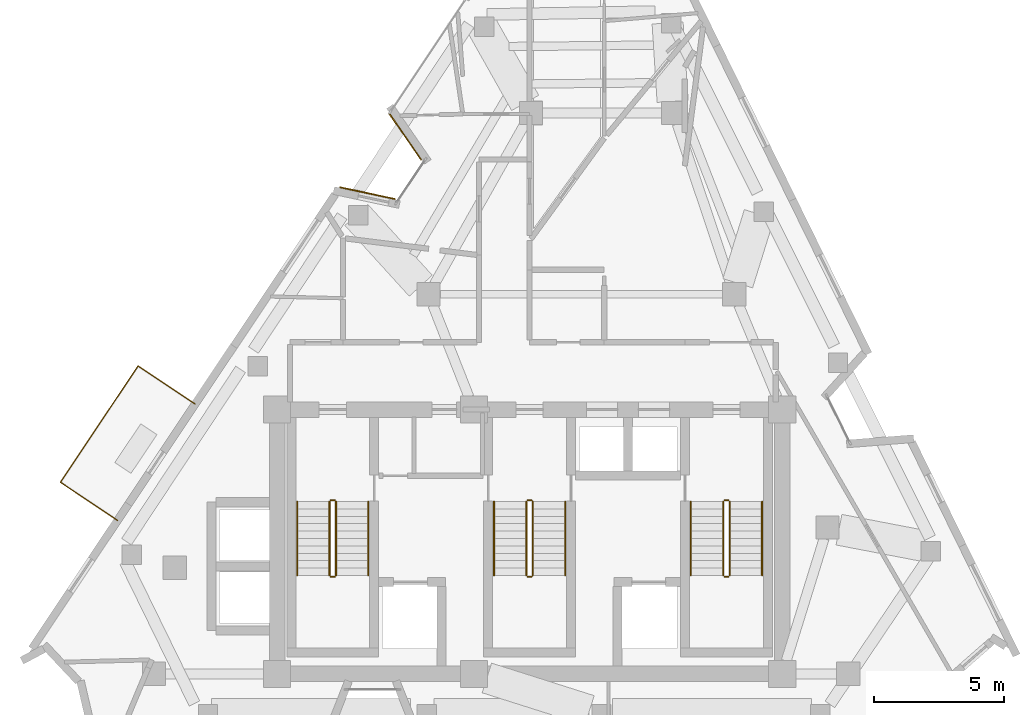
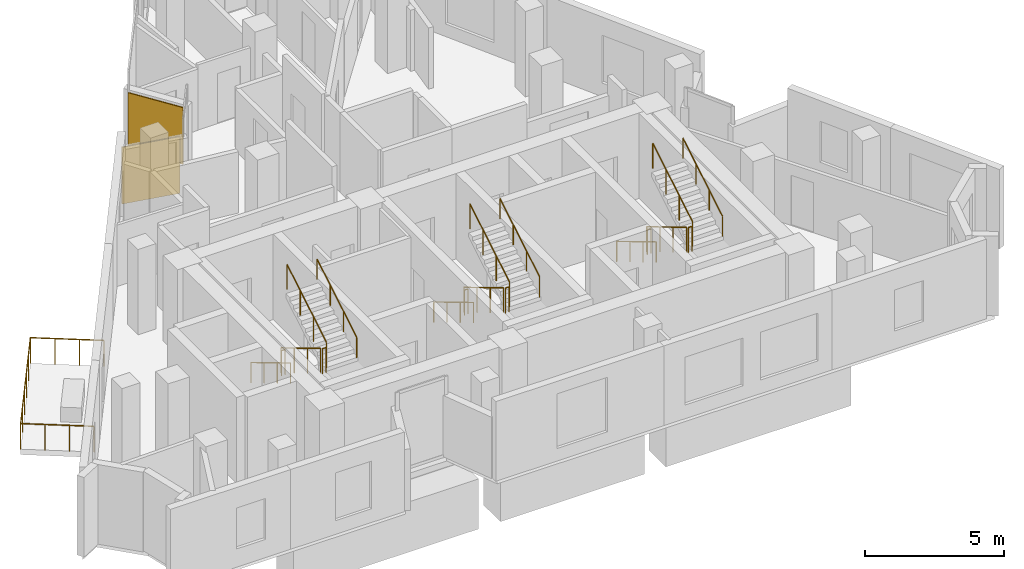
# One storey, part 9 of 10: 19 railings, 2 coverings.
"""IFC4 building model written with IfcOpenShell, lengths in metres."""

from ifc_helpers import new_model, si_unit, direction, frame, origin, origin_2d, place, context, subcontext, project, spatial, rectangle, circle, extrude, material, layer, layer_set, type_object, element, save


model = new_model("IFC4")

# Units and contexts
model_context = context("Model", 3, precision=1e-05, world=origin(), true_north=direction((0.0, 1.0)))
body_context = subcontext(model_context, "Body", "Model", "MODEL_VIEW")
ifc_project = project(units=[si_unit("LENGTHUNIT", "METRE"), si_unit("AREAUNIT", "SQUARE_METRE"), si_unit("VOLUMEUNIT", "CUBIC_METRE"), si_unit("PLANEANGLEUNIT", "RADIAN"), si_unit("MASSUNIT", "GRAM", prefix="KILO")], contexts=[model_context])

# Site, building, storey
site_placement = place(None, origin())
site = spatial("IfcSite", under=ifc_project, at=site_placement, CompositionType="ELEMENT")
building_placement = place(site_placement, origin())
building = spatial("IfcBuilding", under=site, at=building_placement, Name="Almagre Mirador Tower", CompositionType="ELEMENT")
storey_placement = place(building_placement, frame((0.0, 0.0, 270.75)))
storey = spatial("IfcBuildingStorey", under=building, at=storey_placement, Name="L70", CompositionType="ELEMENT", Elevation=270.75)

# Coverings
ifc_material_1 = material(Name="Almagre terracotta architectural cladding", Category="masonry")
ifc_layer = layer(ifc_material_1, 0.044921875)
ifc_layer_set = layer_set([ifc_layer], Name="Almagre terracotta architectural cladding")
covering_type = type_object("IfcCoveringType", Name="COV-CLAD-ALMAGRE", PredefinedType="CLADDING", material=ifc_layer_set)
for number, where, z_axis, x_axis, name in (
    (1, (31.039306640625, 23.106689453125, 0.099853515625), (0.0, 0.0, 1.0), (0.978053152694, -0.208355538697, 0.0), "L70 almagre terracotta pier cladding"),
    (2, (32.4970703125, 25.28955078125, 0.099853515625), (0.0, 0.0, 1.0), (-0.567815011828, 0.823156189519, 0.0), "L70 almagre terracotta pier cladding"),
):
    element("IfcCovering", number, at=place(storey_placement, frame(where, z_axis=z_axis, x_axis=x_axis)), inside=storey, type_object=covering_type, Name=name, PredefinedType="CLADDING", context=body_context, shape_type="SweptSolid", body=[
        extrude(rectangle(XDim=2.194091796875, YDim=0.044921875, at=origin_2d()), origin(), (0.0, 0.0, 1.0), 2.49609375),
    ])

# Railings
ifc_material_2 = material(Name="Black anodized aluminium", Category="aluminium")
railing_type_1 = type_object("IfcRailingType", Name="RLG-BAL-1150", PredefinedType="BALUSTRADE", material=ifc_material_2)
railing_1_placement = place(storey_placement, frame((24.388916015625, 14.966064453125, 0.0)))
element("IfcRailing", 3, at=railing_1_placement, inside=storey, type_object=railing_type_1, Name="L70 west balcony balustrade 1", PredefinedType="BALUSTRADE", context=body_context, shape_type="SweptSolid", body=[
    extrude(circle(Radius=0.02392578125, at=origin_2d()), frame((0.0, 0.0, 1.1259765625), z_axis=(-0.831752489759, 0.555146643491, 0.0), x_axis=(-0.555146643491, -0.831752489759, 0.0)), (0.0, 0.0, 1.0), 2.649658203125),
    extrude(circle(Radius=0.02392578125, at=origin_2d()), frame((-2.203857421875, 1.470947265625, 1.1259765625), z_axis=(-0.555221781424, -0.831702334632, 0.0), x_axis=(0.831702334632, -0.555221781424, 0.0)), (0.0, 0.0, 1.0), 5.399658203125),
    extrude(circle(Radius=0.02392578125, at=origin_2d()), frame((-5.201904296875, -3.02001953125, 1.1259765625), z_axis=(0.831610717546, -0.555358996022, 0.0), x_axis=(0.555358996022, 0.831610717546, 0.0)), (0.0, 0.0, 1.0), 2.650390625),
    extrude(circle(Radius=0.02099609375, at=origin_2d()), origin(), (0.0, 0.0, 1.0), 1.101806640625),
    extrude(circle(Radius=0.02099609375, at=origin_2d()), frame((-0.734619140625, 0.490234375, 0.0)), (0.0, 0.0, 1.0), 1.101806640625),
    extrude(circle(Radius=0.02099609375, at=origin_2d()), frame((-1.46923828125, 0.980712890625, 0.0)), (0.0, 0.0, 1.0), 1.101806640625),
    extrude(circle(Radius=0.02099609375, at=origin_2d()), frame((-2.203857421875, 1.470947265625, 0.0)), (0.0, 0.0, 1.0), 1.101806640625),
    extrude(circle(Radius=0.02099609375, at=origin_2d()), frame((-2.803466796875, 0.57275390625, 0.0)), (0.0, 0.0, 1.0), 1.101806640625),
    extrude(circle(Radius=0.02099609375, at=origin_2d()), frame((-3.403076171875, -0.325439453125, 0.0)), (0.0, 0.0, 1.0), 1.101806640625),
    extrude(circle(Radius=0.02099609375, at=origin_2d()), frame((-4.002685546875, -1.2236328125, 0.0)), (0.0, 0.0, 1.0), 1.101806640625),
    extrude(circle(Radius=0.02099609375, at=origin_2d()), frame((-4.602294921875, -2.121826171875, 0.0)), (0.0, 0.0, 1.0), 1.101806640625),
    extrude(circle(Radius=0.02099609375, at=origin_2d()), frame((-5.201904296875, -3.02001953125, 0.0)), (0.0, 0.0, 1.0), 1.101806640625),
    extrude(circle(Radius=0.02099609375, at=origin_2d()), frame((-4.46728515625, -3.5107421875, 0.0)), (0.0, 0.0, 1.0), 1.101806640625),
    extrude(circle(Radius=0.02099609375, at=origin_2d()), frame((-3.732421875, -4.001220703125, 0.0)), (0.0, 0.0, 1.0), 1.101806640625),
    extrude(circle(Radius=0.02099609375, at=origin_2d()), frame((-2.997802734375, -4.491943359375, 0.0)), (0.0, 0.0, 1.0), 1.101806640625),
])
ifc_material_3 = material(Name="Painted galvanized steel", Category="steel")
railing_type_2 = type_object("IfcRailingType", Name="RLG-GRD-1100", PredefinedType="GUARDRAIL", material=ifc_material_3)
railing_2_placement = place(storey_placement, frame((29.574951171875, 11.199951171875, 0.17041015625)))
element("IfcRailing", 4, at=railing_2_placement, inside=storey, type_object=railing_type_2, Name="L70 ST-1 stair guard 1", PredefinedType="GUARDRAIL", context=body_context, shape_type="SweptSolid", body=[
    extrude(circle(Radius=0.02392578125, at=origin_2d()), frame((0.0, 0.0, 1.09619140625), z_axis=(0.0, -0.858199205511, 0.513316786848), x_axis=(1.0, 0.0, 0.0)), (0.0, 0.0, 1.0), 3.32080078125),
    extrude(circle(Radius=0.02099609375, at=origin_2d()), origin(), (0.0, 0.0, 1.0), 1.072021484375),
    extrude(circle(Radius=0.02099609375, at=origin_2d()), frame((0.0, -0.949951171875, 0.568115234375)), (0.0, 0.0, 1.0), 1.072021484375),
    extrude(circle(Radius=0.02099609375, at=origin_2d()), frame((0.0, -1.89990234375, 1.136474609375)), (0.0, 0.0, 1.0), 1.072021484375),
    extrude(circle(Radius=0.02099609375, at=origin_2d()), frame((0.0, -2.849853515625, 1.70458984375)), (0.0, 0.0, 1.0), 1.072021484375),
])
railing_3_placement = place(storey_placement, frame((29.625, 8.300048828125, 1.875)))
element("IfcRailing", 5, at=railing_3_placement, inside=storey, type_object=railing_type_2, Name="L70 ST-1 stair guard 2", PredefinedType="GUARDRAIL", context=body_context, shape_type="SweptSolid", body=[
    extrude(circle(Radius=0.02392578125, at=origin_2d()), frame((0.0, 0.0, 1.09619140625), z_axis=(1.0, 0.0, 0.0), x_axis=(0.0, 1.0, 0.0)), (0.0, 0.0, 1.0), 0.14990234375),
    extrude(circle(Radius=0.02099609375, at=origin_2d()), origin(), (0.0, 0.0, 1.0), 1.072021484375),
    extrude(circle(Radius=0.02099609375, at=origin_2d()), frame((0.14990234375, 0.0, 0.0)), (0.0, 0.0, 1.0), 1.072021484375),
])
railing_4_placement = place(storey_placement, frame((29.824951171875, 8.35009765625, 2.04541015625)))
element("IfcRailing", 6, at=railing_4_placement, inside=storey, type_object=railing_type_2, Name="L70 ST-1 stair guard 3", PredefinedType="GUARDRAIL", context=body_context, shape_type="SweptSolid", body=[
    extrude(circle(Radius=0.02392578125, at=origin_2d()), frame((0.0, 0.0, 1.09619140625), z_axis=(0.0, 0.858199205511, 0.513316786848), x_axis=(-1.0, 0.0, 0.0)), (0.0, 0.0, 1.0), 3.32080078125),
    extrude(circle(Radius=0.02099609375, at=origin_2d()), origin(), (0.0, 0.0, 1.0), 1.072021484375),
    extrude(circle(Radius=0.02099609375, at=origin_2d()), frame((0.0, 0.949951171875, 0.568115234375)), (0.0, 0.0, 1.0), 1.072021484375),
    extrude(circle(Radius=0.02099609375, at=origin_2d()), frame((0.0, 1.89990234375, 1.136474609375)), (0.0, 0.0, 1.0), 1.072021484375),
    extrude(circle(Radius=0.02099609375, at=origin_2d()), frame((0.0, 2.849853515625, 1.70458984375)), (0.0, 0.0, 1.0), 1.072021484375),
])
railing_5_placement = place(storey_placement, frame((29.625, 11.25, 0.0)))
element("IfcRailing", 7, at=railing_5_placement, inside=storey, type_object=railing_type_2, Name="L70 ST-1 stair guard 4", PredefinedType="GUARDRAIL", context=body_context, shape_type="SweptSolid", body=[
    extrude(circle(Radius=0.02392578125, at=origin_2d()), frame((0.0, 0.0, 1.09619140625), z_axis=(1.0, 0.0, 0.0), x_axis=(0.0, 1.0, 0.0)), (0.0, 0.0, 1.0), 0.14990234375),
    extrude(circle(Radius=0.02099609375, at=origin_2d()), origin(), (0.0, 0.0, 1.0), 1.072021484375),
    extrude(circle(Radius=0.02099609375, at=origin_2d()), frame((0.14990234375, 0.0, 0.0)), (0.0, 0.0, 1.0), 1.072021484375),
])
railing_6_placement = place(storey_placement, frame((37.175048828125, 11.199951171875, 0.17041015625)))
element("IfcRailing", 8, at=railing_6_placement, inside=storey, type_object=railing_type_2, Name="L70 ST-2 stair guard 1", PredefinedType="GUARDRAIL", context=body_context, shape_type="SweptSolid", body=[
    extrude(circle(Radius=0.02392578125, at=origin_2d()), frame((0.0, 0.0, 1.09619140625), z_axis=(0.0, -0.858199205511, 0.513316786848), x_axis=(1.0, 0.0, 0.0)), (0.0, 0.0, 1.0), 3.32080078125),
    extrude(circle(Radius=0.02099609375, at=origin_2d()), origin(), (0.0, 0.0, 1.0), 1.072021484375),
    extrude(circle(Radius=0.02099609375, at=origin_2d()), frame((0.0, -0.949951171875, 0.568115234375)), (0.0, 0.0, 1.0), 1.072021484375),
    extrude(circle(Radius=0.02099609375, at=origin_2d()), frame((0.0, -1.89990234375, 1.136474609375)), (0.0, 0.0, 1.0), 1.072021484375),
    extrude(circle(Radius=0.02099609375, at=origin_2d()), frame((0.0, -2.849853515625, 1.70458984375)), (0.0, 0.0, 1.0), 1.072021484375),
])
railing_7_placement = place(storey_placement, frame((37.22509765625, 8.300048828125, 1.875)))
element("IfcRailing", 9, at=railing_7_placement, inside=storey, type_object=railing_type_2, Name="L70 ST-2 stair guard 2", PredefinedType="GUARDRAIL", context=body_context, shape_type="SweptSolid", body=[
    extrude(circle(Radius=0.02392578125, at=origin_2d()), frame((0.0, 0.0, 1.09619140625), z_axis=(1.0, 0.0, 0.0), x_axis=(0.0, 1.0, 0.0)), (0.0, 0.0, 1.0), 0.14990234375),
    extrude(circle(Radius=0.02099609375, at=origin_2d()), origin(), (0.0, 0.0, 1.0), 1.072021484375),
    extrude(circle(Radius=0.02099609375, at=origin_2d()), frame((0.14990234375, 0.0, 0.0)), (0.0, 0.0, 1.0), 1.072021484375),
])
railing_8_placement = place(storey_placement, frame((37.425048828125, 8.35009765625, 2.04541015625)))
element("IfcRailing", 10, at=railing_8_placement, inside=storey, type_object=railing_type_2, Name="L70 ST-2 stair guard 3", PredefinedType="GUARDRAIL", context=body_context, shape_type="SweptSolid", body=[
    extrude(circle(Radius=0.02392578125, at=origin_2d()), frame((0.0, 0.0, 1.09619140625), z_axis=(0.0, 0.858199205511, 0.513316786848), x_axis=(-1.0, 0.0, 0.0)), (0.0, 0.0, 1.0), 3.32080078125),
    extrude(circle(Radius=0.02099609375, at=origin_2d()), origin(), (0.0, 0.0, 1.0), 1.072021484375),
    extrude(circle(Radius=0.02099609375, at=origin_2d()), frame((0.0, 0.949951171875, 0.568115234375)), (0.0, 0.0, 1.0), 1.072021484375),
    extrude(circle(Radius=0.02099609375, at=origin_2d()), frame((0.0, 1.89990234375, 1.136474609375)), (0.0, 0.0, 1.0), 1.072021484375),
    extrude(circle(Radius=0.02099609375, at=origin_2d()), frame((0.0, 2.849853515625, 1.70458984375)), (0.0, 0.0, 1.0), 1.072021484375),
])
railing_9_placement = place(storey_placement, frame((37.22509765625, 11.25, 0.0)))
element("IfcRailing", 11, at=railing_9_placement, inside=storey, type_object=railing_type_2, Name="L70 ST-2 stair guard 4", PredefinedType="GUARDRAIL", context=body_context, shape_type="SweptSolid", body=[
    extrude(circle(Radius=0.02392578125, at=origin_2d()), frame((0.0, 0.0, 1.09619140625), z_axis=(1.0, 0.0, 0.0), x_axis=(0.0, 1.0, 0.0)), (0.0, 0.0, 1.0), 0.14990234375),
    extrude(circle(Radius=0.02099609375, at=origin_2d()), origin(), (0.0, 0.0, 1.0), 1.072021484375),
    extrude(circle(Radius=0.02099609375, at=origin_2d()), frame((0.14990234375, 0.0, 0.0)), (0.0, 0.0, 1.0), 1.072021484375),
])
railing_10_placement = place(storey_placement, frame((44.77490234375, 11.199951171875, 0.17041015625)))
element("IfcRailing", 12, at=railing_10_placement, inside=storey, type_object=railing_type_2, Name="L70 ST-3 stair guard 1", PredefinedType="GUARDRAIL", context=body_context, shape_type="SweptSolid", body=[
    extrude(circle(Radius=0.02392578125, at=origin_2d()), frame((0.0, 0.0, 1.09619140625), z_axis=(0.0, -0.858199205511, 0.513316786848), x_axis=(1.0, 0.0, 0.0)), (0.0, 0.0, 1.0), 3.32080078125),
    extrude(circle(Radius=0.02099609375, at=origin_2d()), origin(), (0.0, 0.0, 1.0), 1.072021484375),
    extrude(circle(Radius=0.02099609375, at=origin_2d()), frame((0.0, -0.949951171875, 0.568115234375)), (0.0, 0.0, 1.0), 1.072021484375),
    extrude(circle(Radius=0.02099609375, at=origin_2d()), frame((0.0, -1.89990234375, 1.136474609375)), (0.0, 0.0, 1.0), 1.072021484375),
    extrude(circle(Radius=0.02099609375, at=origin_2d()), frame((0.0, -2.849853515625, 1.70458984375)), (0.0, 0.0, 1.0), 1.072021484375),
])
railing_11_placement = place(storey_placement, frame((44.824951171875, 8.300048828125, 1.875)))
element("IfcRailing", 13, at=railing_11_placement, inside=storey, type_object=railing_type_2, Name="L70 ST-3 stair guard 2", PredefinedType="GUARDRAIL", context=body_context, shape_type="SweptSolid", body=[
    extrude(circle(Radius=0.02392578125, at=origin_2d()), frame((0.0, 0.0, 1.09619140625), z_axis=(1.0, 0.0, 0.0), x_axis=(0.0, 1.0, 0.0)), (0.0, 0.0, 1.0), 0.150146484375),
    extrude(circle(Radius=0.02099609375, at=origin_2d()), origin(), (0.0, 0.0, 1.0), 1.072021484375),
    extrude(circle(Radius=0.02099609375, at=origin_2d()), frame((0.150146484375, 0.0, 0.0)), (0.0, 0.0, 1.0), 1.072021484375),
])
railing_12_placement = place(storey_placement, frame((45.02490234375, 8.35009765625, 2.04541015625)))
element("IfcRailing", 14, at=railing_12_placement, inside=storey, type_object=railing_type_2, Name="L70 ST-3 stair guard 3", PredefinedType="GUARDRAIL", context=body_context, shape_type="SweptSolid", body=[
    extrude(circle(Radius=0.02392578125, at=origin_2d()), frame((0.0, 0.0, 1.09619140625), z_axis=(0.0, 0.858199205511, 0.513316786848), x_axis=(-1.0, 0.0, 0.0)), (0.0, 0.0, 1.0), 3.32080078125),
    extrude(circle(Radius=0.02099609375, at=origin_2d()), origin(), (0.0, 0.0, 1.0), 1.072021484375),
    extrude(circle(Radius=0.02099609375, at=origin_2d()), frame((0.0, 0.949951171875, 0.568115234375)), (0.0, 0.0, 1.0), 1.072021484375),
    extrude(circle(Radius=0.02099609375, at=origin_2d()), frame((0.0, 1.89990234375, 1.136474609375)), (0.0, 0.0, 1.0), 1.072021484375),
    extrude(circle(Radius=0.02099609375, at=origin_2d()), frame((0.0, 2.849853515625, 1.70458984375)), (0.0, 0.0, 1.0), 1.072021484375),
])
railing_13_placement = place(storey_placement, frame((44.824951171875, 11.25, 0.0)))
element("IfcRailing", 15, at=railing_13_placement, inside=storey, type_object=railing_type_2, Name="L70 ST-3 stair guard 4", PredefinedType="GUARDRAIL", context=body_context, shape_type="SweptSolid", body=[
    extrude(circle(Radius=0.02392578125, at=origin_2d()), frame((0.0, 0.0, 1.09619140625), z_axis=(1.0, 0.0, 0.0), x_axis=(0.0, 1.0, 0.0)), (0.0, 0.0, 1.0), 0.150146484375),
    extrude(circle(Radius=0.02099609375, at=origin_2d()), origin(), (0.0, 0.0, 1.0), 1.072021484375),
    extrude(circle(Radius=0.02099609375, at=origin_2d()), frame((0.150146484375, 0.0, 0.0)), (0.0, 0.0, 1.0), 1.072021484375),
])
ifc_material_4 = material(Name="Brushed stainless steel", Category="steel")
railing_type_3 = type_object("IfcRailingType", Name="RLG-HND-915", PredefinedType="HANDRAIL", material=ifc_material_4)
railing_14_placement = place(storey_placement, frame((28.324951171875, 11.199951171875, 0.17041015625)))
element("IfcRailing", 16, at=railing_14_placement, inside=storey, type_object=railing_type_3, Name="L70 ST-1 stair handrail 1", PredefinedType="HANDRAIL", context=body_context, shape_type="SweptSolid", body=[
    extrude(circle(Radius=0.02392578125, at=origin_2d()), frame((0.0, 0.0, 0.89111328125), z_axis=(0.0, -0.858199205511, 0.513316786848), x_axis=(1.0, 0.0, 0.0)), (0.0, 0.0, 1.0), 3.32080078125),
    extrude(circle(Radius=0.02099609375, at=origin_2d()), origin(), (0.0, 0.0, 1.0), 0.866943359375),
    extrude(circle(Radius=0.02099609375, at=origin_2d()), frame((0.0, -0.949951171875, 0.568115234375)), (0.0, 0.0, 1.0), 0.866943359375),
    extrude(circle(Radius=0.02099609375, at=origin_2d()), frame((0.0, -1.89990234375, 1.136474609375)), (0.0, 0.0, 1.0), 0.866943359375),
    extrude(circle(Radius=0.02099609375, at=origin_2d()), frame((0.0, -2.849853515625, 1.70458984375)), (0.0, 0.0, 1.0), 0.866943359375),
])
railing_15_placement = place(storey_placement, frame((31.074951171875, 8.35009765625, 2.04541015625)))
element("IfcRailing", 17, at=railing_15_placement, inside=storey, type_object=railing_type_3, Name="L70 ST-1 stair handrail 2", PredefinedType="HANDRAIL", context=body_context, shape_type="SweptSolid", body=[
    extrude(circle(Radius=0.02392578125, at=origin_2d()), frame((0.0, 0.0, 0.89111328125), z_axis=(0.0, 0.858199205511, 0.513316786848), x_axis=(-1.0, 0.0, 0.0)), (0.0, 0.0, 1.0), 3.32080078125),
    extrude(circle(Radius=0.02099609375, at=origin_2d()), origin(), (0.0, 0.0, 1.0), 0.866943359375),
    extrude(circle(Radius=0.02099609375, at=origin_2d()), frame((0.0, 0.949951171875, 0.568115234375)), (0.0, 0.0, 1.0), 0.866943359375),
    extrude(circle(Radius=0.02099609375, at=origin_2d()), frame((0.0, 1.89990234375, 1.136474609375)), (0.0, 0.0, 1.0), 0.866943359375),
    extrude(circle(Radius=0.02099609375, at=origin_2d()), frame((0.0, 2.849853515625, 1.70458984375)), (0.0, 0.0, 1.0), 0.866943359375),
])
railing_16_placement = place(storey_placement, frame((35.925048828125, 11.199951171875, 0.17041015625)))
element("IfcRailing", 18, at=railing_16_placement, inside=storey, type_object=railing_type_3, Name="L70 ST-2 stair handrail 1", PredefinedType="HANDRAIL", context=body_context, shape_type="SweptSolid", body=[
    extrude(circle(Radius=0.02392578125, at=origin_2d()), frame((0.0, 0.0, 0.89111328125), z_axis=(0.0, -0.858199205511, 0.513316786848), x_axis=(1.0, 0.0, 0.0)), (0.0, 0.0, 1.0), 3.32080078125),
    extrude(circle(Radius=0.02099609375, at=origin_2d()), origin(), (0.0, 0.0, 1.0), 0.866943359375),
    extrude(circle(Radius=0.02099609375, at=origin_2d()), frame((0.0, -0.949951171875, 0.568115234375)), (0.0, 0.0, 1.0), 0.866943359375),
    extrude(circle(Radius=0.02099609375, at=origin_2d()), frame((0.0, -1.89990234375, 1.136474609375)), (0.0, 0.0, 1.0), 0.866943359375),
    extrude(circle(Radius=0.02099609375, at=origin_2d()), frame((0.0, -2.849853515625, 1.70458984375)), (0.0, 0.0, 1.0), 0.866943359375),
])
railing_17_placement = place(storey_placement, frame((38.675048828125, 8.35009765625, 2.04541015625)))
element("IfcRailing", 19, at=railing_17_placement, inside=storey, type_object=railing_type_3, Name="L70 ST-2 stair handrail 2", PredefinedType="HANDRAIL", context=body_context, shape_type="SweptSolid", body=[
    extrude(circle(Radius=0.02392578125, at=origin_2d()), frame((0.0, 0.0, 0.89111328125), z_axis=(0.0, 0.858199205511, 0.513316786848), x_axis=(-1.0, 0.0, 0.0)), (0.0, 0.0, 1.0), 3.32080078125),
    extrude(circle(Radius=0.02099609375, at=origin_2d()), origin(), (0.0, 0.0, 1.0), 0.866943359375),
    extrude(circle(Radius=0.02099609375, at=origin_2d()), frame((0.0, 0.949951171875, 0.568115234375)), (0.0, 0.0, 1.0), 0.866943359375),
    extrude(circle(Radius=0.02099609375, at=origin_2d()), frame((0.0, 1.89990234375, 1.136474609375)), (0.0, 0.0, 1.0), 0.866943359375),
    extrude(circle(Radius=0.02099609375, at=origin_2d()), frame((0.0, 2.849853515625, 1.70458984375)), (0.0, 0.0, 1.0), 0.866943359375),
])
railing_18_placement = place(storey_placement, frame((43.52490234375, 11.199951171875, 0.17041015625)))
element("IfcRailing", 20, at=railing_18_placement, inside=storey, type_object=railing_type_3, Name="L70 ST-3 stair handrail 1", PredefinedType="HANDRAIL", context=body_context, shape_type="SweptSolid", body=[
    extrude(circle(Radius=0.02392578125, at=origin_2d()), frame((0.0, 0.0, 0.89111328125), z_axis=(0.0, -0.858199205511, 0.513316786848), x_axis=(1.0, 0.0, 0.0)), (0.0, 0.0, 1.0), 3.32080078125),
    extrude(circle(Radius=0.02099609375, at=origin_2d()), origin(), (0.0, 0.0, 1.0), 0.866943359375),
    extrude(circle(Radius=0.02099609375, at=origin_2d()), frame((0.0, -0.949951171875, 0.568115234375)), (0.0, 0.0, 1.0), 0.866943359375),
    extrude(circle(Radius=0.02099609375, at=origin_2d()), frame((0.0, -1.89990234375, 1.136474609375)), (0.0, 0.0, 1.0), 0.866943359375),
    extrude(circle(Radius=0.02099609375, at=origin_2d()), frame((0.0, -2.849853515625, 1.70458984375)), (0.0, 0.0, 1.0), 0.866943359375),
])
railing_19_placement = place(storey_placement, frame((46.27490234375, 8.35009765625, 2.04541015625)))
element("IfcRailing", 21, at=railing_19_placement, inside=storey, type_object=railing_type_3, Name="L70 ST-3 stair handrail 2", PredefinedType="HANDRAIL", context=body_context, shape_type="SweptSolid", body=[
    extrude(circle(Radius=0.02392578125, at=origin_2d()), frame((0.0, 0.0, 0.89111328125), z_axis=(0.0, 0.858199205511, 0.513316786848), x_axis=(-1.0, 0.0, 0.0)), (0.0, 0.0, 1.0), 3.32080078125),
    extrude(circle(Radius=0.02099609375, at=origin_2d()), origin(), (0.0, 0.0, 1.0), 0.866943359375),
    extrude(circle(Radius=0.02099609375, at=origin_2d()), frame((0.0, 0.949951171875, 0.568115234375)), (0.0, 0.0, 1.0), 0.866943359375),
    extrude(circle(Radius=0.02099609375, at=origin_2d()), frame((0.0, 1.89990234375, 1.136474609375)), (0.0, 0.0, 1.0), 0.866943359375),
    extrude(circle(Radius=0.02099609375, at=origin_2d()), frame((0.0, 2.849853515625, 1.70458984375)), (0.0, 0.0, 1.0), 0.866943359375),
])

save(model, "model.ifc")
